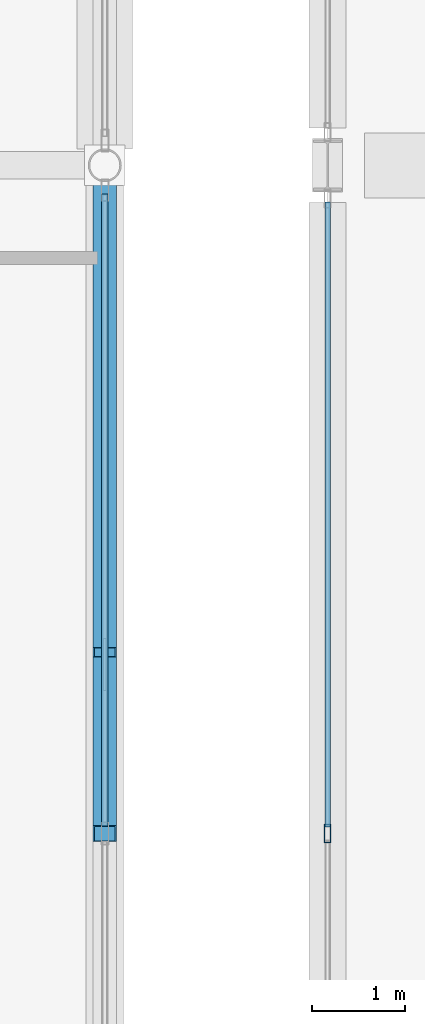
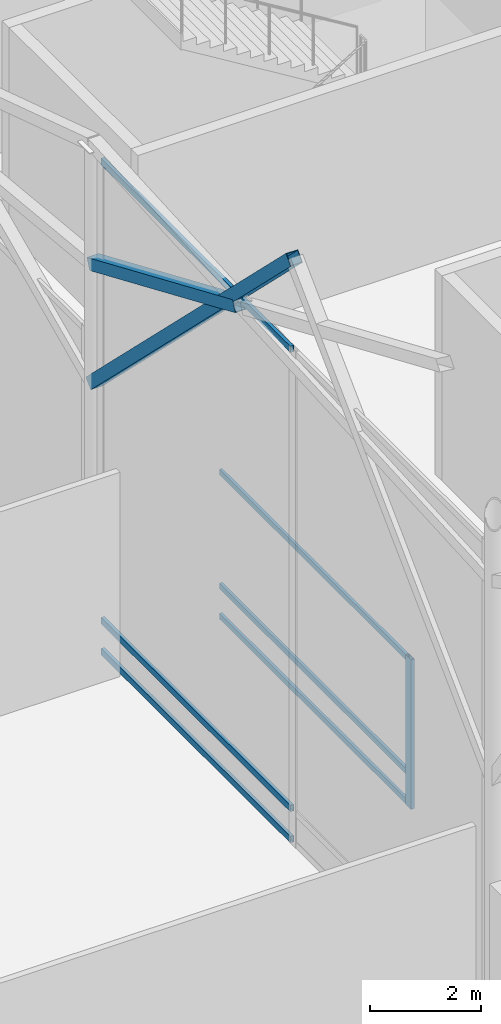
# One storey, part 79 of 220: 9 members, 2 elements without a shape of their own.
"""IFC4 building model written with IfcOpenShell, lengths in metres."""

from ifc_helpers import new_model, si_unit, direction, frame, origin, origin_2d, place, context, subcontext, project, spatial, hollow_rectangle, extrude, material, material_profile, profile_set, type_object, element, aggregate, save


model = new_model("IFC4")

# Units and contexts
model_context = context("Model", 3, precision=1e-05, world=origin(), true_north=direction((0.0, 1.0)))
body_context = subcontext(model_context, "Body", "Model", "MODEL_VIEW")
ifc_project = project(units=[si_unit("LENGTHUNIT", "METRE"), si_unit("AREAUNIT", "SQUARE_METRE"), si_unit("VOLUMEUNIT", "CUBIC_METRE"), si_unit("PLANEANGLEUNIT", "RADIAN"), si_unit("MASSUNIT", "GRAM", prefix="KILO")], contexts=[model_context])

# Site, building, storey
site_placement = place(None, origin())
site = spatial("IfcSite", under=ifc_project, at=site_placement, CompositionType="ELEMENT")
building_placement = place(site_placement, origin())
building = spatial("IfcBuilding", under=site, at=building_placement, Name="Cendralis Lancet Convention Centre", CompositionType="ELEMENT")
storey_placement = place(building_placement, frame((0.0, 0.0, 5.39990234375)))
storey = spatial("IfcBuildingStorey", under=building, at=storey_placement, Name="L01", CompositionType="ELEMENT", Elevation=5.39990234375)

# Curtain wall, members
ifc_material_1 = material(Name="Anodised bronze architectural aluminium", Category="aluminium")
curtain_wall_type_1 = type_object("IfcCurtainWallType", Name="ARC-CW-BL01", PredefinedType="USERDEFINED", material=ifc_material_1)
curtain_wall_1_placement = place(storey_placement, origin())
curtain_wall_1 = element("IfcCurtainWall", 1, at=curtain_wall_1_placement, inside=storey, type_object=curtain_wall_type_1, Name="L01 Curtain Wall CW-BL1 #150", ObjectType="CURTAIN WALL", PredefinedType="USERDEFINED")
ifc_material_profile_1 = material_profile(ifc_material_1, hollow_rectangle(XDim=0.070068359375, YDim=0.199951171875, WallThickness=0.0048828125, at=origin_2d()), Name="AL-MULL 70x200x5.0")
ifc_profile_set_1 = profile_set([ifc_material_profile_1], Name="Anodised bronze architectural aluminium")
member_type_1 = type_object("IfcMemberType", Name="ARC-CW-ML02", PredefinedType="MULLION", material=ifc_profile_set_1)
member_1_placement = place(storey_placement, frame((124.800048828125, 115.199951171875, 0.0), z_axis=(0.0, 0.0, 1.0), x_axis=(1.0, 0.0, 0.0)))
member_1 = element("IfcMember", 2, at=member_1_placement, type_object=member_type_1, Name="Mullion CW2-CW-BL1-L01-150-M1", PredefinedType="MULLION", context=body_context, shape_type="SweptSolid", body=[
    extrude(hollow_rectangle(XDim=0.070068359375, YDim=0.199951171875, WallThickness=0.0048828125, at=origin_2d()), origin(), (0.0, 0.0, 1.0), 3.28515625),
])
ifc_material_profile_2 = material_profile(ifc_material_1, hollow_rectangle(XDim=0.06005859375, YDim=0.1201171875, WallThickness=0.00390625, at=origin_2d()), Name="AL-TRAN 60x120x4.0")
ifc_profile_set_2 = profile_set([ifc_material_profile_2], Name="Anodised bronze architectural aluminium")
member_type_2 = type_object("IfcMemberType", Name="ARC-CW-TR01", PredefinedType="USERDEFINED", material=ifc_profile_set_2)
member_2_placement = place(storey_placement, frame((124.800048828125, 115.27001953125, 0.06005859375), z_axis=(0.0, 1.0, 0.0), x_axis=(-1.0, 0.0, 0.0)))
member_2 = element("IfcMember", 3, at=member_2_placement, type_object=member_type_2, Name="Transom CW2-CW-BL1-L01-150-T1BOT", ObjectType="TRANSOM", PredefinedType="USERDEFINED", context=body_context, shape_type="SweptSolid", body=[
    extrude(hollow_rectangle(XDim=0.06005859375, YDim=0.1201171875, WallThickness=0.00390625, at=origin_2d()), origin(), (0.0, 0.0, 1.0), 6.73486328125),
])
member_3_placement = place(storey_placement, frame((124.800048828125, 115.27001953125, 0.722900390625), z_axis=(0.0, 1.0, 0.0), x_axis=(-1.0, 0.0, 0.0)))
member_3 = element("IfcMember", 4, at=member_3_placement, type_object=member_type_2, Name="Transom CW2-CW-BL1-L01-150-T1MID", ObjectType="TRANSOM", PredefinedType="USERDEFINED", context=body_context, shape_type="SweptSolid", body=[
    extrude(hollow_rectangle(XDim=0.06005859375, YDim=0.1201171875, WallThickness=0.00390625, at=origin_2d()), origin(), (0.0, 0.0, 1.0), 6.73486328125),
])
member_4_placement = place(storey_placement, frame((124.800048828125, 115.27001953125, 3.22509765625), z_axis=(0.0, 1.0, 0.0), x_axis=(-1.0, 0.0, 0.0)))
member_4 = element("IfcMember", 5, at=member_4_placement, type_object=member_type_2, Name="Transom CW2-CW-BL1-L01-150-T1TOP", ObjectType="TRANSOM", PredefinedType="USERDEFINED", context=body_context, shape_type="SweptSolid", body=[
    extrude(hollow_rectangle(XDim=0.06005859375, YDim=0.1201171875, WallThickness=0.00390625, at=origin_2d()), origin(), (0.0, 0.0, 1.0), 6.73486328125),
])
aggregate(curtain_wall_1, [member_1, member_2, member_3, member_4])

curtain_wall_type_2 = type_object("IfcCurtainWallType", Name="ARC-CW-GB02", PredefinedType="USERDEFINED", material=ifc_material_1)
curtain_wall_2_placement = place(storey_placement, origin())
curtain_wall_2 = element("IfcCurtainWall", 6, at=curtain_wall_2_placement, inside=storey, type_object=curtain_wall_type_2, Name="L01 Curtain Wall CW-GB2 #108", ObjectType="CURTAIN WALL", PredefinedType="USERDEFINED")
ifc_material_profile_3 = material_profile(ifc_material_1, hollow_rectangle(XDim=0.070068359375, YDim=0.139892578125, WallThickness=0.00390625, at=origin_2d()), Name="AL-TRAN 70x140x4.0")
ifc_profile_set_3 = profile_set([ifc_material_profile_3], Name="Anodised bronze architectural aluminium")
member_type_3 = type_object("IfcMemberType", Name="ARC-CW-TR02", PredefinedType="USERDEFINED", material=ifc_profile_set_3)
member_5_placement = place(storey_placement, frame((122.39990234375, 122.09228515625, 0.070068359375), z_axis=(0.0, -1.0, 0.0), x_axis=(1.0, 0.0, 0.0)))
member_5 = element("IfcMember", 7, at=member_5_placement, type_object=member_type_3, Name="Transom CW2-CW-GB2-L01-108-T0BOT", ObjectType="TRANSOM", PredefinedType="USERDEFINED", context=body_context, shape_type="SweptSolid", body=[
    extrude(hollow_rectangle(XDim=0.070068359375, YDim=0.139892578125, WallThickness=0.00390625, at=origin_2d()), origin(), (0.0, 0.0, 1.0), 6.812255859375),
])
member_6_placement = place(storey_placement, frame((122.39990234375, 122.09228515625, 0.75), z_axis=(0.0, -1.0, 0.0), x_axis=(1.0, 0.0, 0.0)))
member_6 = element("IfcMember", 8, at=member_6_placement, type_object=member_type_3, Name="Transom CW2-CW-GB2-L01-108-T0MID", ObjectType="TRANSOM", PredefinedType="USERDEFINED", context=body_context, shape_type="SweptSolid", body=[
    extrude(hollow_rectangle(XDim=0.070068359375, YDim=0.139892578125, WallThickness=0.00390625, at=origin_2d()), origin(), (0.0, 0.0, 1.0), 6.812255859375),
])
member_7_placement = place(storey_placement, frame((122.39990234375, 122.09228515625, 10.8310546875), z_axis=(0.0, -1.0, 0.0), x_axis=(1.0, 0.0, 0.0)))
member_7 = element("IfcMember", 9, at=member_7_placement, type_object=member_type_3, Name="Transom CW2-CW-GB2-L01-108-T0TOP", ObjectType="TRANSOM", PredefinedType="USERDEFINED", context=body_context, shape_type="SweptSolid", body=[
    extrude(hollow_rectangle(XDim=0.070068359375, YDim=0.139892578125, WallThickness=0.00390625, at=origin_2d()), origin(), (0.0, 0.0, 1.0), 6.812255859375),
])
aggregate(curtain_wall_2, [member_5, member_6, member_7])

# Members
ifc_material_2 = material(Name="Steel S355", Category="steel")
ifc_material_profile_4 = material_profile(ifc_material_2, hollow_rectangle(XDim=0.25, YDim=0.25, WallThickness=0.012451171875, at=origin_2d()), Name="SHS 250x250x12.5")
ifc_profile_set_4 = profile_set([ifc_material_profile_4], Name="Steel S355")
member_type_4 = type_object("IfcMemberType", Name="STR-BR-GB01", PredefinedType="BRACE", material=ifc_profile_set_4)
member_8_placement = place(storey_placement, frame((122.39990234375, 122.39990234375, 5.800048828125), z_axis=(0.0, -0.712944916229, 0.701220041373), x_axis=(1.0, 0.0, 0.0)))
element("IfcMember", 10, at=member_8_placement, inside=storey, type_object=member_type_4, Name="Exhibition Gable Gothic Ogival Tracery Rib GBR1 #052", PredefinedType="BRACE", context=body_context, shape_type="SweptSolid", body=[
    extrude(hollow_rectangle(XDim=0.25, YDim=0.25, WallThickness=0.012451171875, at=origin_2d()), origin(), (0.0, 0.0, 1.0), 10.098876953125),
])
member_9_placement = place(storey_placement, frame((122.39990234375, 122.39990234375, 8.425537109375), z_axis=(0.0, -0.918923679087, 0.394435383824), x_axis=(1.0, 0.0, 0.0)))
element("IfcMember", 11, at=member_9_placement, inside=storey, type_object=member_type_4, Name="Exhibition Gable Split X-Brace Rib GBR1 #054", PredefinedType="BRACE", context=body_context, shape_type="SweptSolid", body=[
    extrude(hollow_rectangle(XDim=0.25, YDim=0.25, WallThickness=0.012451171875, at=origin_2d()), origin(), (0.0, 0.0, 1.0), 5.708740234375),
])

save(model, "model.ifc")
